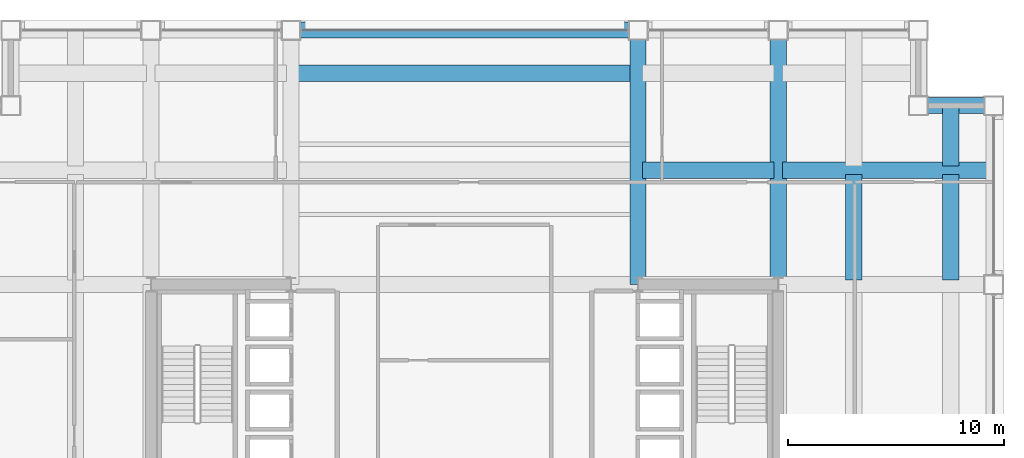
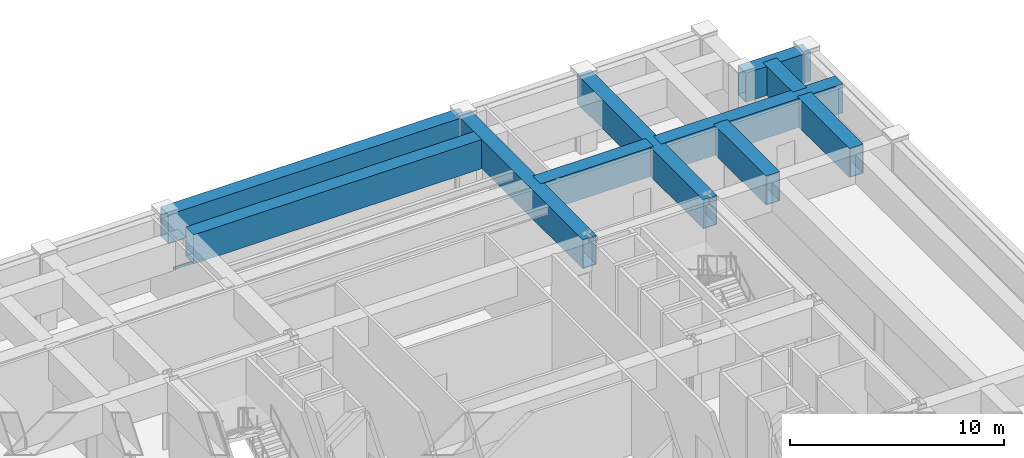
# One storey, part 21 of 29: 10 beams, 1 member, 1 element without a shape of its own.
"""IFC4 building model written with IfcOpenShell, lengths in metres."""

from ifc_helpers import new_model, si_unit, direction, frame, origin, origin_2d, place, context, subcontext, project, spatial, hollow_rectangle, extrude, material, layer, layer_set, material_profile, profile_set, type_object, element, aggregate, save


model = new_model("IFC4")

# Units and contexts
model_context = context("Model", 3, precision=1e-05, world=origin(), true_north=direction((0.0, 1.0)))
body_context = subcontext(model_context, "Body", "Model", "MODEL_VIEW")
ifc_project = project(units=[si_unit("LENGTHUNIT", "METRE"), si_unit("AREAUNIT", "SQUARE_METRE"), si_unit("VOLUMEUNIT", "CUBIC_METRE"), si_unit("PLANEANGLEUNIT", "RADIAN"), si_unit("MASSUNIT", "GRAM", prefix="KILO")], contexts=[model_context])

# Site, building, storey
site_placement = place(None, origin())
site = spatial("IfcSite", under=ifc_project, at=site_placement, CompositionType="ELEMENT")
building_placement = place(site_placement, origin())
building = spatial("IfcBuilding", under=site, at=building_placement, Name="Brelmoor Portico Tower", CompositionType="ELEMENT")
storey_placement = place(building_placement, frame((0.0, 0.0, 82.800048828125)))
storey = spatial("IfcBuildingStorey", under=building, at=storey_placement, Name="L21", CompositionType="ELEMENT", Elevation=82.800048828125)

# Beams
ifc_material_1 = material(Name="Steel Q355B", Category="steel")
ifc_material_profile_1 = material_profile(ifc_material_1, hollow_rectangle(XDim=0.75, YDim=1.659912109375, WallThickness=0.0419921875, at=origin_2d()), Name="BOX 750x1660x42")
ifc_profile_set_1 = profile_set([ifc_material_profile_1], Name="Steel Q355B")
beam_type = type_object("IfcBeamType", Name="BM-TG-Z2", PredefinedType="BEAM", material=ifc_profile_set_1)
beam_1_placement = place(storey_placement, frame((21.050048828125, 18.050048828125, 3.469970703125), z_axis=(1.0, 0.0, 0.0), x_axis=(0.0, 1.0, 0.0)))
element("IfcBeam", 1, at=beam_1_placement, inside=storey, type_object=beam_type, Name="L21 Perimeter Transfer Beam SP-09", PredefinedType="BEAM", context=body_context, shape_type="SweptSolid", body=[
    extrude(hollow_rectangle(XDim=0.75, YDim=1.659912109375, WallThickness=0.0419921875, at=origin_2d()), origin(), (0.0, 0.0, 1.0), 3.5),
])
beam_2_placement = place(storey_placement, frame((-8.050048828125, 21.550048828125, 3.469970703125), z_axis=(1.0, 0.0, 0.0), x_axis=(0.0, 1.0, 0.0)))
element("IfcBeam", 2, at=beam_2_placement, inside=storey, type_object=beam_type, Name="L21 Perimeter Transfer Beam SP-12", PredefinedType="BEAM", context=body_context, shape_type="SweptSolid", body=[
    extrude(hollow_rectangle(XDim=0.75, YDim=1.659912109375, WallThickness=0.0419921875, at=origin_2d()), origin(), (0.0, 0.0, 1.0), 16.10009765625),
])
for number, where, z_axis, x_axis, name in (
    (3, (8.050048828125, 9.75, 3.469970703125), (0.0, 1.0, 0.0), (-1.0, 0.0, 0.0), "L21 Setback Transfer Girder PG-10"),
    (4, (14.550048828125, 9.75, 3.469970703125), (0.0, 1.0, 0.0), (-1.0, 0.0, 0.0), "L21 Setback Transfer Girder PG-14"),
):
    element("IfcBeam", number, at=place(storey_placement, frame(where, z_axis=z_axis, x_axis=x_axis)), inside=storey, type_object=beam_type, Name=name, PredefinedType="BEAM", context=body_context, shape_type="SweptSolid", body=[
        extrude(hollow_rectangle(XDim=0.75, YDim=1.659912109375, WallThickness=0.0419921875, at=origin_2d()), origin(), (0.0, 0.0, 1.0), 11.800048828125),
    ])
beam_3_placement = place(storey_placement, frame((-7.85009765625, 19.550048828125, 3.469970703125), z_axis=(1.0, 0.0, 0.0), x_axis=(0.0, 1.0, 0.0)))
element("IfcBeam", 5, at=beam_3_placement, inside=storey, type_object=beam_type, Name="L21 Setback Transfer Girder TGN-08", PredefinedType="BEAM", context=body_context, shape_type="SweptSolid", body=[
    extrude(hollow_rectangle(XDim=0.75, YDim=1.659912109375, WallThickness=0.0419921875, at=origin_2d()), origin(), (0.0, 0.0, 1.0), 15.7001953125),
])
beam_4_placement = place(storey_placement, frame((8.25, 15.050048828125, 3.469970703125), z_axis=(1.0, 0.0, 0.0), x_axis=(0.0, 1.0, 0.0)))
element("IfcBeam", 6, at=beam_4_placement, inside=storey, type_object=beam_type, Name="L21 Setback Transfer Girder TGN-19", PredefinedType="BEAM", context=body_context, shape_type="SweptSolid", body=[
    extrude(hollow_rectangle(XDim=0.75, YDim=1.659912109375, WallThickness=0.0419921875, at=origin_2d()), origin(), (0.0, 0.0, 1.0), 6.10009765625),
])
beam_5_placement = place(storey_placement, frame((14.75, 15.050048828125, 3.469970703125), z_axis=(1.0, 0.0, 0.0), x_axis=(0.0, 1.0, 0.0)))
element("IfcBeam", 7, at=beam_5_placement, inside=storey, type_object=beam_type, Name="L21 Setback Transfer Girder TGN-20", PredefinedType="BEAM", context=body_context, shape_type="SweptSolid", body=[
    extrude(hollow_rectangle(XDim=0.75, YDim=1.659912109375, WallThickness=0.0419921875, at=origin_2d()), origin(), (0.0, 0.0, 1.0), 9.800048828125),
])
for number, where, z_axis, x_axis, name in (
    (8, (18.050048828125, 9.949951171875, 3.469970703125), (0.0, 1.0, 0.0), (-1.0, 0.0, 0.0), "L21 Setback Transfer Girder TGN-29"),
    (9, (22.550048828125, 9.949951171875, 3.469970703125), (0.0, 1.0, 0.0), (-1.0, 0.0, 0.0), "L21 Setback Transfer Girder TGN-39"),
):
    element("IfcBeam", number, at=place(storey_placement, frame(where, z_axis=z_axis, x_axis=x_axis)), inside=storey, type_object=beam_type, Name=name, PredefinedType="BEAM", context=body_context, shape_type="SweptSolid", body=[
        extrude(hollow_rectangle(XDim=0.75, YDim=1.659912109375, WallThickness=0.0419921875, at=origin_2d()), origin(), (0.0, 0.0, 1.0), 4.900146484375),
    ])
beam_6_placement = place(storey_placement, frame((22.550048828125, 15.25, 3.469970703125), z_axis=(0.0, 1.0, 0.0), x_axis=(-1.0, 0.0, 0.0)))
element("IfcBeam", 10, at=beam_6_placement, inside=storey, type_object=beam_type, Name="L21 Setback Transfer Girder TGN-40", PredefinedType="BEAM", context=body_context, shape_type="SweptSolid", body=[
    extrude(hollow_rectangle(XDim=0.75, YDim=1.659912109375, WallThickness=0.0419921875, at=origin_2d()), origin(), (0.0, 0.0, 1.0), 2.800048828125),
])

# Curtain wall, member
ifc_material_2 = material(Name="Anodised Aluminium Alloy 6063-T6", Category="aluminium")
ifc_layer = layer(ifc_material_2, 0.179931640625)
ifc_layer_set = layer_set([ifc_layer], Name="Anodised Aluminium Alloy 6063-T6")
curtain_wall_type = type_object("IfcCurtainWallType", Name="CW-TOWER-Z1", PredefinedType="NOTDEFINED", material=ifc_layer_set)
curtain_wall_placement = place(storey_placement, origin())
curtain_wall = element("IfcCurtainWall", 11, at=curtain_wall_placement, inside=storey, type_object=curtain_wall_type, Name="L21 Curtain Wall CW-L21-02-3", PredefinedType="NOTDEFINED")
ifc_material_profile_2 = material_profile(ifc_material_2, hollow_rectangle(XDim=0.06494140625, YDim=0.139892578125, WallThickness=0.00390625, at=origin_2d()), Name="ALU TRANSOM 65x140")
ifc_profile_set_2 = profile_set([ifc_material_profile_2], Name="Anodised Aluminium Alloy 6063-T6")
member_type = type_object("IfcMemberType", Name="MB-CW-TRAN-140", PredefinedType="USERDEFINED", material=ifc_profile_set_2)
member_placement = place(storey_placement, frame((-7.590087890625, 21.550048828125, 0.849853515625), z_axis=(1.0, 0.0, 0.0), x_axis=(0.0, 1.0, 0.0)))
member = element("IfcMember", 12, at=member_placement, type_object=member_type, Name="CW-L21-02-3 Transom 1-00", ObjectType="TRANSOM", PredefinedType="USERDEFINED", context=body_context, shape_type="SweptSolid", body=[
    extrude(hollow_rectangle(XDim=0.06494140625, YDim=0.139892578125, WallThickness=0.00390625, at=origin_2d()), origin(), (0.0, 0.0, 1.0), 15.18017578125),
])
aggregate(curtain_wall, [member])

save(model, "model.ifc")
